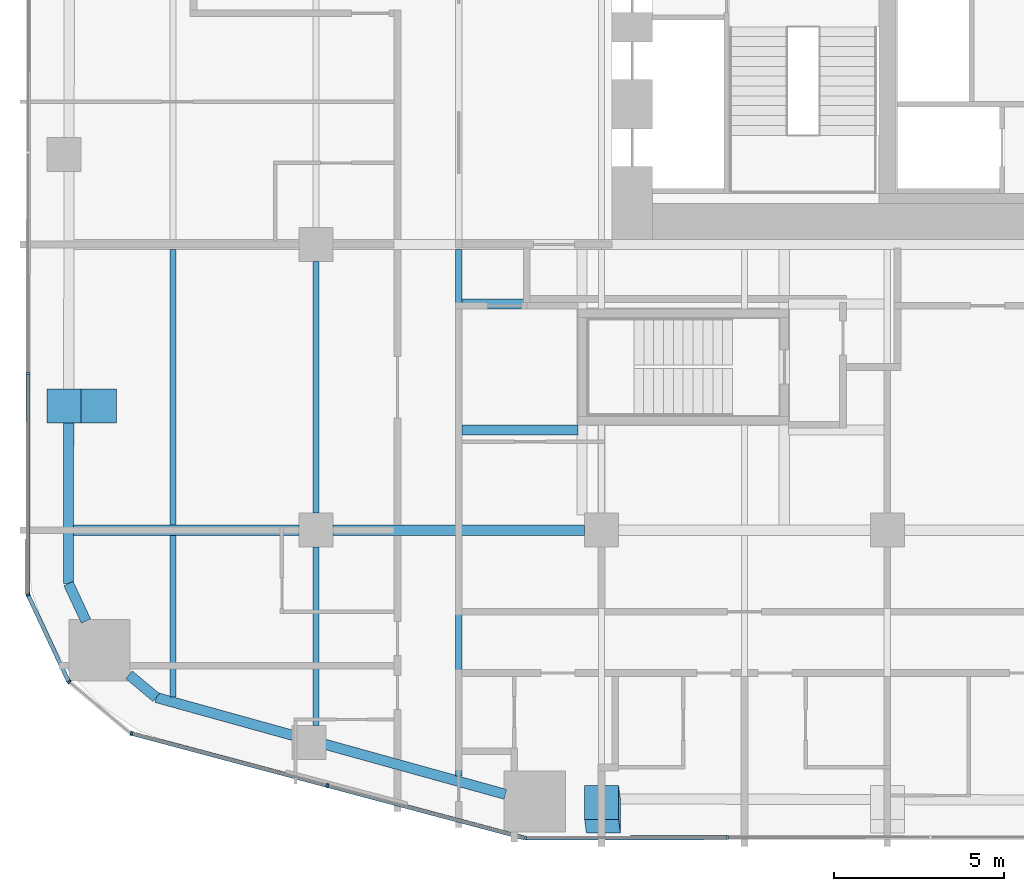
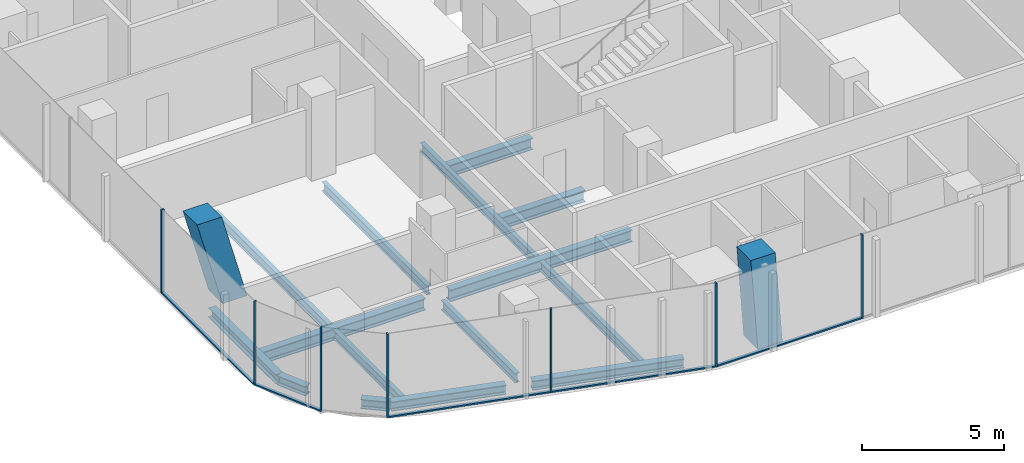
# One storey, part 2 of 27: 15 beams, 14 members, 5 elements without a shape of their own.
"""IFC4 building model written with IfcOpenShell, lengths in metres."""

from ifc_helpers import new_model, si_unit, direction, frame, origin, origin_2d, place, context, subcontext, project, spatial, rectangle, i_section, extrude, material, layer, layer_set, material_profile, profile_set, type_object, element, aggregate, save


model = new_model("IFC4")

# Units and contexts
model_context = context("Model", 3, precision=1e-05, world=origin(), true_north=direction((0.0, 1.0)))
body_context = subcontext(model_context, "Body", "Model", "MODEL_VIEW")
ifc_project = project(units=[si_unit("LENGTHUNIT", "METRE"), si_unit("AREAUNIT", "SQUARE_METRE"), si_unit("VOLUMEUNIT", "CUBIC_METRE"), si_unit("PLANEANGLEUNIT", "RADIAN"), si_unit("MASSUNIT", "GRAM", prefix="KILO")], contexts=[model_context])

# Site, building, storey
site_placement = place(None, origin())
site = spatial("IfcSite", under=ifc_project, at=site_placement, CompositionType="ELEMENT")
building_placement = place(site_placement, origin())
building = spatial("IfcBuilding", under=site, at=building_placement, Name="Marenta Gate Hotel Tower", CompositionType="ELEMENT")
storey_placement = place(building_placement, frame((0.0, 0.0, 36.5)))
storey = spatial("IfcBuildingStorey", under=building, at=storey_placement, Name="L06", CompositionType="ELEMENT", Elevation=36.5)

# Beams
ifc_material_1 = material(Name="Steel S355", Category="steel")
ifc_material_profile_1 = material_profile(ifc_material_1, i_section(OverallWidth=0.300048828125, OverallDepth=0.39990234375, WebThickness=0.013427734375, FlangeThickness=0.02392578125, FilletRadius=0.027099609375, at=origin_2d()), Name="HEB 400")
ifc_profile_set_1 = profile_set([ifc_material_profile_1], Name="Steel S355")
beam_type_1 = type_object("IfcBeamType", Name="Edge beam HEB 400", PredefinedType="SPANDREL", material=ifc_profile_set_1)
beam_1_placement = place(storey_placement, frame((-15.427734375, -16.166748046875, -0.35009765625), z_axis=(-0.963623684238, 0.267262782998, 0.0), x_axis=(-0.267262782998, -0.963623684238, 0.0)))
element("IfcBeam", 1, at=beam_1_placement, inside=storey, type_object=beam_type_1, Name="L06-EB-1", PredefinedType="SPANDREL", context=body_context, shape_type="SweptSolid", body=[
    extrude(i_section(OverallWidth=0.300048828125, OverallDepth=0.39990234375, WebThickness=0.013427734375, FlangeThickness=0.02392578125, FilletRadius=0.027099609375, at=origin_2d()), origin(), (0.0, 0.0, 1.0), 5.518310546875),
])
beam_2_placement = place(storey_placement, frame((-21.668212890625, -14.43603515625, -0.35009765625), z_axis=(-0.963617403201, 0.267285428426, 0.0), x_axis=(-0.267285428426, -0.963617403201, 0.0)))
element("IfcBeam", 2, at=beam_2_placement, inside=storey, type_object=beam_type_1, Name="L06-EB-2", PredefinedType="SPANDREL", context=body_context, shape_type="SweptSolid", body=[
    extrude(i_section(OverallWidth=0.300048828125, OverallDepth=0.39990234375, WebThickness=0.013427734375, FlangeThickness=0.02392578125, FilletRadius=0.027099609375, at=origin_2d()), origin(), (0.0, 0.0, 1.0), 4.1806640625),
])
beam_3_placement = place(storey_placement, frame((-25.69677734375, -13.318603515625, -0.35009765625), z_axis=(-0.767179911534, 0.641431978731, 0.0), x_axis=(-0.641431978731, -0.767179911534, 0.0)))
element("IfcBeam", 3, at=beam_3_placement, inside=storey, type_object=beam_type_1, Name="L06-EB-3", PredefinedType="SPANDREL", context=body_context, shape_type="SweptSolid", body=[
    extrude(i_section(OverallWidth=0.300048828125, OverallDepth=0.39990234375, WebThickness=0.013427734375, FlangeThickness=0.02392578125, FilletRadius=0.027099609375, at=origin_2d()), origin(), (0.0, 0.0, 1.0), 1.038818359375),
])
beam_4_placement = place(storey_placement, frame((-27.76025390625, -11.0693359375, -0.35009765625), z_axis=(-0.423291965192, 0.905993329006, 0.0), x_axis=(-0.905993329006, -0.423291965192, 0.0)))
element("IfcBeam", 4, at=beam_4_placement, inside=storey, type_object=beam_type_1, Name="L06-EB-4", PredefinedType="SPANDREL", context=body_context, shape_type="SweptSolid", body=[
    extrude(i_section(OverallWidth=0.300048828125, OverallDepth=0.39990234375, WebThickness=0.013427734375, FlangeThickness=0.02392578125, FilletRadius=0.027099609375, at=origin_2d()), origin(), (0.0, 0.0, 1.0), 1.21630859375),
])
beam_5_placement = place(storey_placement, frame((-28.275146484375, -9.96728515625, -0.35009765625), z_axis=(0.001386177947, 0.999999039255, 0.0), x_axis=(-0.999999039255, 0.001386177947, 0.0)))
element("IfcBeam", 5, at=beam_5_placement, inside=storey, type_object=beam_type_1, Name="L06-EB-5", PredefinedType="SPANDREL", context=body_context, shape_type="SweptSolid", body=[
    extrude(i_section(OverallWidth=0.300048828125, OverallDepth=0.39990234375, WebThickness=0.013427734375, FlangeThickness=0.02392578125, FilletRadius=0.027099609375, at=origin_2d()), origin(), (0.0, 0.0, 1.0), 4.75537109375),
])

# Members
ifc_material_2 = material(Name="Concrete C80", Category="concrete")
ifc_material_profile_2 = material_profile(ifc_material_2, rectangle(XDim=1.0, YDim=1.0, at=origin_2d()), Name="1000 x 1000")
ifc_profile_set_2 = profile_set([ifc_material_profile_2], Name="Concrete C80")
member_type_1 = type_object("IfcMemberType", Name="Edge column raked 1000 x 1000 C80", PredefinedType="STRUT", material=ifc_profile_set_2)
member_1_placement = place(storey_placement, frame((-27.363037109375, -4.751953125, -0.14990234375), z_axis=(0.0, 0.0, 1.0), x_axis=(1.0, 0.0, 0.0)))
element("IfcMember", 6, at=member_1_placement, inside=storey, type_object=member_type_1, Name="L06-EC-SW-W-1", PredefinedType="STRUT", context=body_context, shape_type="SweptSolid", body=[
    extrude(rectangle(XDim=1.0, YDim=1.0, at=origin_2d()), origin(), (-0.266497998015, 0.0, 0.963835471984), 3.890625),
])
member_2_placement = place(storey_placement, frame((-12.54638671875, -16.800048828125, 0.0), z_axis=(0.0, 0.0, 1.0), x_axis=(1.0, 0.0, 0.0)))
element("IfcMember", 7, at=member_2_placement, inside=storey, type_object=member_type_1, Name="L06-EC-SKE-SKW-4", PredefinedType="STRUT", context=body_context, shape_type="SweptSolid", body=[
    extrude(rectangle(XDim=1.0, YDim=1.0, at=origin_2d()), origin(), (-0.014826358586, 0.110456371463, 0.993770380467), 3.62255859375),
])

# Beams
ifc_material_3 = material(Name="Steel S355", Category="steel")
ifc_material_profile_3 = material_profile(ifc_material_3, i_section(OverallWidth=0.179931640625, OverallDepth=0.39990234375, WebThickness=0.008544921875, FlangeThickness=0.013427734375, FilletRadius=0.02099609375, at=origin_2d()), Name="IPE 400")
ifc_profile_set_3 = profile_set([ifc_material_profile_3], Name="Steel S355")
beam_type_2 = type_object("IfcBeamType", Name="Floor beam IPE 400", PredefinedType="JOIST", material=ifc_profile_set_3)
beam_6_placement = place(storey_placement, frame((-25.199951171875, -13.30078125, -0.35009765625), z_axis=(0.0, 1.0, 0.0), x_axis=(-1.0, 0.0, 0.0)))
element("IfcBeam", 8, at=beam_6_placement, inside=storey, type_object=beam_type_2, Name="L06-FB-1", PredefinedType="JOIST", context=body_context, shape_type="SweptSolid", body=[
    extrude(i_section(OverallWidth=0.179931640625, OverallDepth=0.39990234375, WebThickness=0.008544921875, FlangeThickness=0.013427734375, FilletRadius=0.02099609375, at=origin_2d()), origin(), (0.0, 0.0, 1.0), 4.750732421875),
])
beam_7_placement = place(storey_placement, frame((-25.199951171875, -8.25, -0.35009765625), z_axis=(0.0, 1.0, 0.0), x_axis=(-1.0, 0.0, 0.0)))
element("IfcBeam", 9, at=beam_7_placement, inside=storey, type_object=beam_type_2, Name="L06-FB-2", PredefinedType="JOIST", context=body_context, shape_type="SweptSolid", body=[
    extrude(i_section(OverallWidth=0.179931640625, OverallDepth=0.39990234375, WebThickness=0.008544921875, FlangeThickness=0.013427734375, FilletRadius=0.02099609375, at=origin_2d()), origin(), (0.0, 0.0, 1.0), 8.10009765625),
])
beam_8_placement = place(storey_placement, frame((-21.0, -14.13916015625, -0.35009765625), z_axis=(0.0, 1.0, 0.0), x_axis=(-1.0, 0.0, 0.0)))
element("IfcBeam", 10, at=beam_8_placement, inside=storey, type_object=beam_type_2, Name="L06-FB-7", PredefinedType="JOIST", context=body_context, shape_type="SweptSolid", body=[
    extrude(i_section(OverallWidth=0.179931640625, OverallDepth=0.39990234375, WebThickness=0.008544921875, FlangeThickness=0.013427734375, FilletRadius=0.02099609375, at=origin_2d()), origin(), (0.0, 0.0, 1.0), 5.2392578125),
])
beam_9_placement = place(storey_placement, frame((-21.0, -7.89990234375, -0.35009765625), z_axis=(0.0, 1.0, 0.0), x_axis=(-1.0, 0.0, 0.0)))
element("IfcBeam", 11, at=beam_9_placement, inside=storey, type_object=beam_type_2, Name="L06-FB-8", PredefinedType="JOIST", context=body_context, shape_type="SweptSolid", body=[
    extrude(i_section(OverallWidth=0.179931640625, OverallDepth=0.39990234375, WebThickness=0.008544921875, FlangeThickness=0.013427734375, FilletRadius=0.02099609375, at=origin_2d()), origin(), (0.0, 0.0, 1.0), 7.39990234375),
])
beam_10_placement = place(storey_placement, frame((-16.800048828125, -15.630615234375, -0.35009765625), z_axis=(0.0, 1.0, 0.0), x_axis=(-1.0, 0.0, 0.0)))
element("IfcBeam", 12, at=beam_10_placement, inside=storey, type_object=beam_type_2, Name="L06-FB-14", PredefinedType="JOIST", context=body_context, shape_type="SweptSolid", body=[
    extrude(i_section(OverallWidth=0.179931640625, OverallDepth=0.39990234375, WebThickness=0.008544921875, FlangeThickness=0.013427734375, FilletRadius=0.02099609375, at=origin_2d()), origin(), (0.0, 0.0, 1.0), 7.08056640625),
])
beam_11_placement = place(storey_placement, frame((-16.800048828125, -8.25, -0.35009765625), z_axis=(0.0, 1.0, 0.0), x_axis=(-1.0, 0.0, 0.0)))
element("IfcBeam", 13, at=beam_11_placement, inside=storey, type_object=beam_type_2, Name="L06-FB-15", PredefinedType="JOIST", context=body_context, shape_type="SweptSolid", body=[
    extrude(i_section(OverallWidth=0.179931640625, OverallDepth=0.39990234375, WebThickness=0.008544921875, FlangeThickness=0.013427734375, FilletRadius=0.02099609375, at=origin_2d()), origin(), (0.0, 0.0, 1.0), 8.10009765625),
])
ifc_material_4 = material(Name="Steel S355", Category="steel")
ifc_material_profile_4 = material_profile(ifc_material_4, i_section(OverallWidth=0.300048828125, OverallDepth=0.5, WebThickness=0.014404296875, FlangeThickness=0.028076171875, FilletRadius=0.027099609375, at=origin_2d()), Name="HEB 500")
ifc_profile_set_4 = profile_set([ifc_material_profile_4], Name="Steel S355")
beam_type_3 = type_object("IfcBeamType", Name="Girder HEB 500", PredefinedType="BEAM", material=ifc_profile_set_4)
beam_12_placement = place(storey_placement, frame((-28.123046875, -8.39990234375, -0.39990234375), z_axis=(1.0, 0.0, 0.0), x_axis=(0.0, 1.0, 0.0)))
element("IfcBeam", 14, at=beam_12_placement, inside=storey, type_object=beam_type_3, Name="L06-GD-1", PredefinedType="BEAM", context=body_context, shape_type="SweptSolid", body=[
    extrude(i_section(OverallWidth=0.300048828125, OverallDepth=0.5, WebThickness=0.014404296875, FlangeThickness=0.028076171875, FilletRadius=0.027099609375, at=origin_2d()), origin(), (0.0, 0.0, 1.0), 6.623046875),
])
beam_13_placement = place(storey_placement, frame((-20.5, -8.39990234375, -0.39990234375), z_axis=(1.0, 0.0, 0.0), x_axis=(0.0, 1.0, 0.0)))
element("IfcBeam", 15, at=beam_13_placement, inside=storey, type_object=beam_type_3, Name="L06-GD-2", PredefinedType="BEAM", context=body_context, shape_type="SweptSolid", body=[
    extrude(i_section(OverallWidth=0.300048828125, OverallDepth=0.5, WebThickness=0.014404296875, FlangeThickness=0.028076171875, FilletRadius=0.027099609375, at=origin_2d()), origin(), (0.0, 0.0, 1.0), 7.39990234375),
])

# Curtain wall, member
ifc_material_5 = material(Name="Tinted insulated glass in bronze anodised frame", Category="glass")
ifc_layer = layer(ifc_material_5, 0.1201171875)
ifc_layer_set = layer_set([ifc_layer], Name="Tinted insulated glass in bronze anodised frame")
curtain_wall_type = type_object("IfcCurtainWallType", Name="Tower unitised curtain wall CW1", PredefinedType="NOTDEFINED", material=ifc_layer_set)
curtain_wall_1_placement = place(storey_placement, origin())
curtain_wall_1 = element("IfcCurtainWall", 16, at=curtain_wall_1_placement, inside=storey, type_object=curtain_wall_type, Name="CW1 run G03", PredefinedType="NOTDEFINED")
ifc_material_6 = material(Name="Bronze anodised aluminium", Category="aluminium")
ifc_material_profile_5 = material_profile(ifc_material_6, rectangle(XDim=0.1201171875, YDim=0.06005859375, at=origin_2d()), Name="Mullion CW1 60x120 bronze anodised aluminium")
ifc_profile_set_5 = profile_set([ifc_material_profile_5], Name="Bronze anodised aluminium")
member_type_2 = type_object("IfcMemberType", Name="Mullion CW1 60x120 bronze anodised aluminium", PredefinedType="MULLION", material=ifc_profile_set_5)
member_3_placement = place(storey_placement, frame((-29.463134765625, -3.78564453125, 0.0), z_axis=(0.0, 0.0, 1.0), x_axis=(0.99999877316, -0.00156642217, 0.0)))
member_3 = element("IfcMember", 17, at=member_3_placement, type_object=member_type_2, Name="CW1 mullion 6", PredefinedType="MULLION", context=body_context, shape_type="SweptSolid", body=[
    extrude(rectangle(XDim=0.1201171875, YDim=0.06005859375, at=origin_2d()), origin(), (0.0, 0.0, 1.0), 3.60009765625),
])

curtain_wall_2_placement = place(storey_placement, origin())
curtain_wall_2 = element("IfcCurtainWall", 18, at=curtain_wall_2_placement, inside=storey, type_object=curtain_wall_type, Name="CW1 run G04", PredefinedType="NOTDEFINED")
member_4_placement = place(storey_placement, frame((-29.460693359375, -10.30322265625, 0.0), z_axis=(0.0, 0.0, 1.0), x_axis=(0.905970129167, 0.423341617441, 0.0)))
member_4 = element("IfcMember", 19, at=member_4_placement, type_object=member_type_2, Name="CW1 mullion 1", PredefinedType="MULLION", context=body_context, shape_type="SweptSolid", body=[
    extrude(rectangle(XDim=0.1201171875, YDim=0.06005859375, at=origin_2d()), origin(), (0.0, 0.0, 1.0), 3.60009765625),
])

curtain_wall_3_placement = place(storey_placement, origin())
curtain_wall_3 = element("IfcCurtainWall", 20, at=curtain_wall_3_placement, inside=storey, type_object=curtain_wall_type, Name="CW1 run G05", PredefinedType="NOTDEFINED")
member_5_placement = place(storey_placement, frame((-28.25146484375, -12.86083984375, 0.0), z_axis=(0.0, 0.0, 1.0), x_axis=(0.641511984407, 0.767113012445, 0.0)))
member_5 = element("IfcMember", 21, at=member_5_placement, type_object=member_type_2, Name="CW1 mullion 1", PredefinedType="MULLION", context=body_context, shape_type="SweptSolid", body=[
    extrude(rectangle(XDim=0.1201171875, YDim=0.06005859375, at=origin_2d()), origin(), (0.0, 0.0, 1.0), 3.60009765625),
])
aggregate(curtain_wall_3, [member_5])

# Curtain wall, members
curtain_wall_4_placement = place(storey_placement, origin())
curtain_wall_4 = element("IfcCurtainWall", 22, at=curtain_wall_4_placement, inside=storey, type_object=curtain_wall_type, Name="CW1 run G06", PredefinedType="NOTDEFINED")
member_6_placement = place(storey_placement, frame((-26.42236328125, -14.3740234375, 0.0), z_axis=(0.0, 0.0, 1.0), x_axis=(0.257141675823, 0.966373715782, 0.0)))
member_6 = element("IfcMember", 23, at=member_6_placement, type_object=member_type_2, Name="CW1 mullion 1", PredefinedType="MULLION", context=body_context, shape_type="SweptSolid", body=[
    extrude(rectangle(XDim=0.1201171875, YDim=0.06005859375, at=origin_2d()), origin(), (0.0, 0.0, 1.0), 3.60009765625),
])
member_7_placement = place(storey_placement, frame((-20.660888671875, -15.906982421875, 0.0), z_axis=(0.0, 0.0, 1.0), x_axis=(0.257141675823, 0.966373715782, 0.0)))
member_7 = element("IfcMember", 24, at=member_7_placement, type_object=member_type_2, Name="CW1 mullion 2", PredefinedType="MULLION", context=body_context, shape_type="SweptSolid", body=[
    extrude(rectangle(XDim=0.1201171875, YDim=0.06005859375, at=origin_2d()), origin(), (0.0, 0.0, 1.0), 3.60009765625),
])

curtain_wall_5_placement = place(storey_placement, origin())
curtain_wall_5 = element("IfcCurtainWall", 25, at=curtain_wall_5_placement, inside=storey, type_object=curtain_wall_type, Name="CW1 run G07", PredefinedType="NOTDEFINED")
member_8_placement = place(storey_placement, frame((-14.840576171875, -17.44775390625, 0.0), z_axis=(0.0, 0.0, 1.0), x_axis=(-0.001161921639, 0.999999324969, 0.0)))
member_8 = element("IfcMember", 26, at=member_8_placement, type_object=member_type_2, Name="CW1 mullion 1", PredefinedType="MULLION", context=body_context, shape_type="SweptSolid", body=[
    extrude(rectangle(XDim=0.1201171875, YDim=0.06005859375, at=origin_2d()), origin(), (0.0, 0.0, 1.0), 3.60009765625),
])
member_9_placement = place(storey_placement, frame((-8.897705078125, -17.44091796875, 0.0), z_axis=(0.0, 0.0, 1.0), x_axis=(-0.001161921639, 0.999999324969, 0.0)))
member_9 = element("IfcMember", 27, at=member_9_placement, type_object=member_type_2, Name="CW1 mullion 2", PredefinedType="MULLION", context=body_context, shape_type="SweptSolid", body=[
    extrude(rectangle(XDim=0.1201171875, YDim=0.06005859375, at=origin_2d()), origin(), (0.0, 0.0, 1.0), 3.60009765625),
])

# Member
ifc_material_7 = material(Name="Bronze anodised aluminium", Category="aluminium")
ifc_material_profile_6 = material_profile(ifc_material_7, rectangle(XDim=0.1201171875, YDim=0.06005859375, at=origin_2d()), Name="Transom CW1 60x120 bronze anodised aluminium")
ifc_profile_set_6 = profile_set([ifc_material_profile_6], Name="Bronze anodised aluminium")
member_type_3 = type_object("IfcMemberType", Name="Transom CW1 60x120 bronze anodised aluminium", PredefinedType="USERDEFINED", material=ifc_profile_set_6)
member_10_placement = place(storey_placement, frame((-29.463134765625, -3.815673828125, 0.030029296875), z_axis=(-0.001587239601, -0.999998740334, 0.0), x_axis=(0.999998740334, -0.001587239601, 0.0)))
member_10 = element("IfcMember", 28, at=member_10_placement, type_object=member_type_3, Name="CW1 transom 6.1", ObjectType="TRANSOM", PredefinedType="USERDEFINED", context=body_context, shape_type="SweptSolid", body=[
    extrude(rectangle(XDim=0.1201171875, YDim=0.06005859375, at=origin_2d()), origin(), (0.0, 0.0, 1.0), 6.460205078125),
])

aggregate(curtain_wall_1, [member_3, member_10])

member_11_placement = place(storey_placement, frame((-29.447998046875, -10.330322265625, 0.030029296875), z_axis=(0.423348255175, -0.905967027457, 0.0), x_axis=(0.905967027457, 0.423348255175, 0.0)))
member_11 = element("IfcMember", 29, at=member_11_placement, type_object=member_type_3, Name="CW1 transom 1.1", ObjectType="TRANSOM", PredefinedType="USERDEFINED", context=body_context, shape_type="SweptSolid", body=[
    extrude(rectangle(XDim=0.1201171875, YDim=0.06005859375, at=origin_2d()), origin(), (0.0, 0.0, 1.0), 2.772216796875),
])

aggregate(curtain_wall_2, [member_4, member_11])

member_12_placement = place(storey_placement, frame((-26.393310546875, -14.3818359375, 0.030029296875), z_axis=(0.966374861095, -0.257137371541, 0.0), x_axis=(0.257137371541, 0.966374861095, 0.0)))
member_12 = element("IfcMember", 30, at=member_12_placement, type_object=member_type_3, Name="CW1 transom 1.1", ObjectType="TRANSOM", PredefinedType="USERDEFINED", context=body_context, shape_type="SweptSolid", body=[
    extrude(rectangle(XDim=0.1201171875, YDim=0.06005859375, at=origin_2d()), origin(), (0.0, 0.0, 1.0), 5.90185546875),
])

member_13_placement = place(storey_placement, frame((-20.632080078125, -15.914794921875, 0.030029296875), z_axis=(0.966378199773, -0.25712482378, 0.0), x_axis=(0.25712482378, 0.966378199773, 0.0)))
member_13 = element("IfcMember", 31, at=member_13_placement, type_object=member_type_3, Name="CW1 transom 2.1", ObjectType="TRANSOM", PredefinedType="USERDEFINED", context=body_context, shape_type="SweptSolid", body=[
    extrude(rectangle(XDim=0.1201171875, YDim=0.06005859375, at=origin_2d()), origin(), (0.0, 0.0, 1.0), 5.9619140625),
])

aggregate(curtain_wall_4, [member_6, member_7, member_12, member_13])

member_14_placement = place(storey_placement, frame((-14.810546875, -17.44775390625, 0.030029296875), z_axis=(0.999999324857, 0.001162017808, 0.0), x_axis=(-0.001162017808, 0.999999324857, 0.0)))
member_14 = element("IfcMember", 32, at=member_14_placement, type_object=member_type_3, Name="CW1 transom 1.1", ObjectType="TRANSOM", PredefinedType="USERDEFINED", context=body_context, shape_type="SweptSolid", body=[
    extrude(rectangle(XDim=0.1201171875, YDim=0.06005859375, at=origin_2d()), origin(), (0.0, 0.0, 1.0), 5.8828125),
])

aggregate(curtain_wall_5, [member_8, member_9, member_14])

# Beams
ifc_material_8 = material(Name="Steel S355", Category="steel")
ifc_material_profile_7 = material_profile(ifc_material_8, i_section(OverallWidth=0.300048828125, OverallDepth=0.5, WebThickness=0.014404296875, FlangeThickness=0.028076171875, FilletRadius=0.027099609375, at=origin_2d()), Name="HEB 500")
ifc_profile_set_7 = profile_set([ifc_material_profile_7], Name="Steel S355")
beam_type_4 = type_object("IfcBeamType", Name="Trimmer HEB 500", PredefinedType="BEAM", material=ifc_profile_set_7)
for number, where, z_axis, x_axis, name in (
    (33, (-16.7099609375, -5.449951171875, -0.39990234375), (1.0, 0.0, 0.0), (0.0, 1.0, 0.0), "L06-TR-5"),
    (34, (-16.7099609375, -1.75, -0.39990234375), (1.0, 0.0, 0.0), (0.0, 1.0, 0.0), "L06-TR-7"),
):
    element("IfcBeam", number, at=place(storey_placement, frame(where, z_axis=z_axis, x_axis=x_axis)), inside=storey, type_object=beam_type_4, Name=name, PredefinedType="BEAM", context=body_context, shape_type="SweptSolid", body=[
        extrude(i_section(OverallWidth=0.300048828125, OverallDepth=0.5, WebThickness=0.014404296875, FlangeThickness=0.028076171875, FilletRadius=0.027099609375, at=origin_2d()), origin(), (0.0, 0.0, 1.0), 3.409912109375),
    ])

save(model, "model.ifc")
